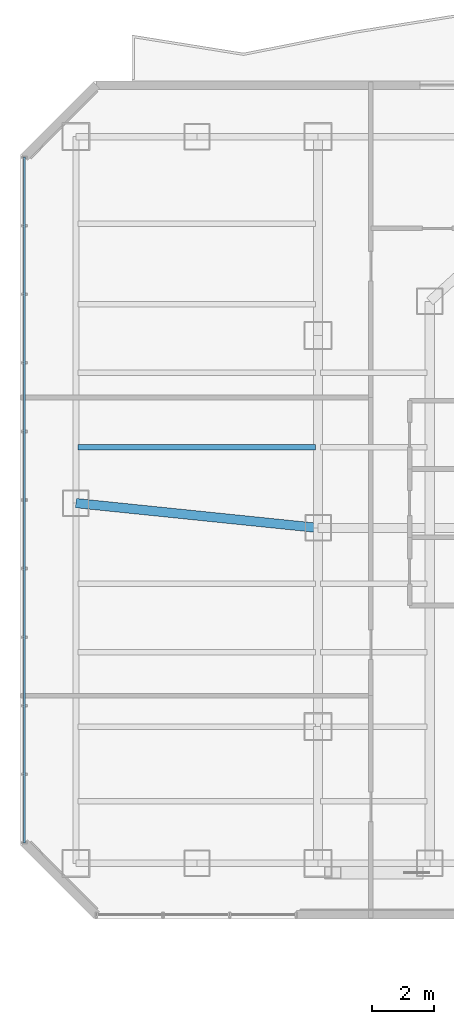
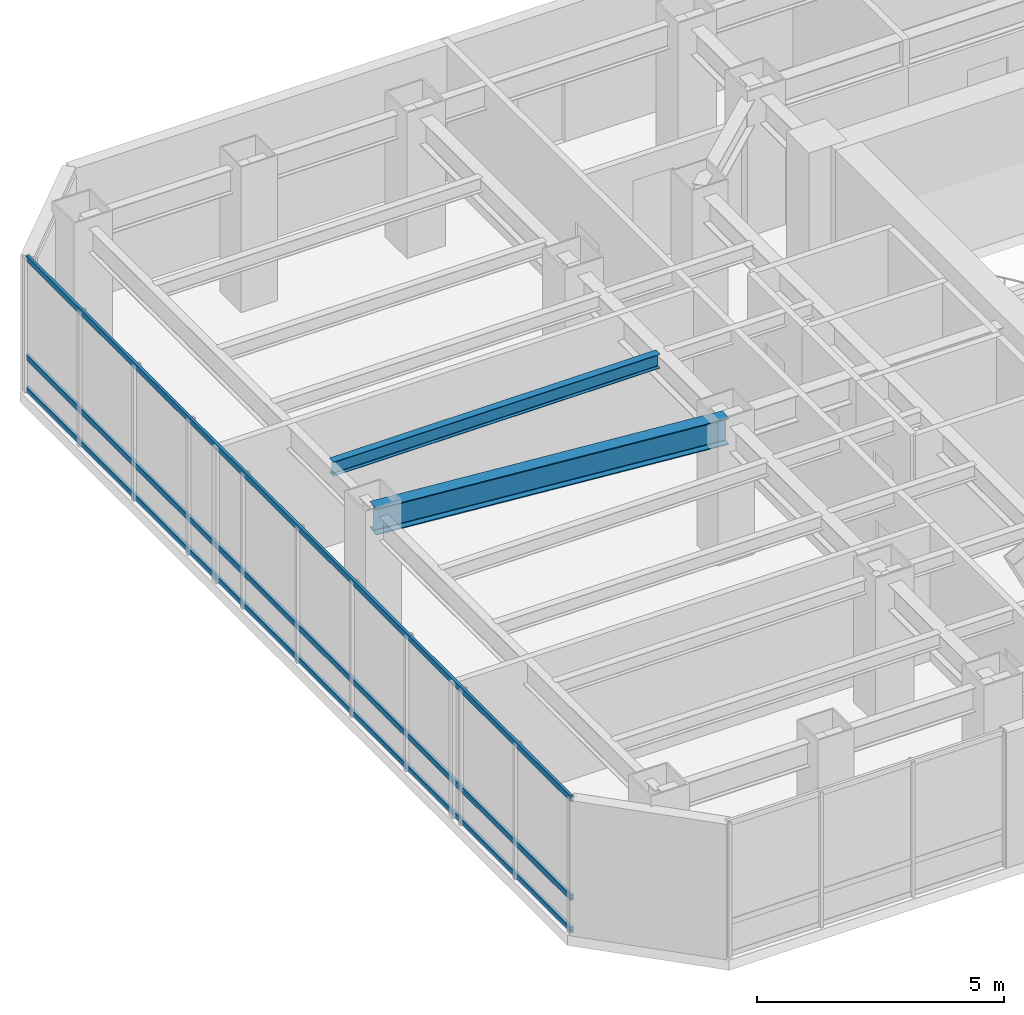
# One storey, part 14 of 30: 3 members, 2 beams, 1 element without a shape of its own.
"""IFC4 building model written with IfcOpenShell, lengths in metres."""

from ifc_helpers import new_model, si_unit, direction, frame, origin, origin_2d, place, context, subcontext, project, spatial, hollow_rectangle, i_section, extrude, material, layer, layer_set, material_profile, profile_set, type_object, element, aggregate, save


model = new_model("IFC4")

# Units and contexts
model_context = context("Model", 3, precision=1e-05, world=origin(), true_north=direction((0.0, 1.0)))
body_context = subcontext(model_context, "Body", "Model", "MODEL_VIEW")
ifc_project = project(units=[si_unit("LENGTHUNIT", "METRE"), si_unit("AREAUNIT", "SQUARE_METRE"), si_unit("VOLUMEUNIT", "CUBIC_METRE"), si_unit("PLANEANGLEUNIT", "RADIAN"), si_unit("MASSUNIT", "GRAM", prefix="KILO")], contexts=[model_context])

# Site, building, storey
site_placement = place(None, origin())
site = spatial("IfcSite", under=ifc_project, at=site_placement, CompositionType="ELEMENT")
building_placement = place(site_placement, origin())
building = spatial("IfcBuilding", under=site, at=building_placement, Name="Hatsunagi Terrace Concourse", CompositionType="ELEMENT")
storey_placement = place(building_placement, frame((0.0, 0.0, 101.25)))
storey = spatial("IfcBuildingStorey", under=building, at=storey_placement, Name="L26", CompositionType="ELEMENT", Elevation=101.25)

# Curtain wall, members
ifc_material_1 = material(Name="Anodised Aluminium Alloy 6063-T5", Category="aluminium")
ifc_layer = layer(ifc_material_1, 0.199951171875)
ifc_layer_set = layer_set([ifc_layer], Name="OfficeZone1_CW03")
curtain_wall_type = type_object("IfcCurtainWallType", Name="OfficeZone1_CW03", PredefinedType="NOTDEFINED", material=ifc_layer_set)
curtain_wall_placement = place(storey_placement, origin())
curtain_wall = element("IfcCurtainWall", 1, at=curtain_wall_placement, inside=storey, type_object=curtain_wall_type, Name="Unitised Curtain Wall CW-03 CW-L26-09", PredefinedType="NOTDEFINED")
ifc_material_2 = material(Name="Anodised Aluminium Alloy 6063-T5", Category="aluminium")
ifc_material_profile_1 = material_profile(ifc_material_2, hollow_rectangle(XDim=0.06494140625, YDim=0.139892578125, WallThickness=0.00390625, at=origin_2d()), Name="ALU-TRN-140x65x4")
ifc_profile_set_1 = profile_set([ifc_material_profile_1], Name="Anodised Aluminium Alloy 6063-T5")
member_type = type_object("IfcMemberType", Name="CurtainWallTransom_140x65", PredefinedType="USERDEFINED", material=ifc_profile_set_1)
member_1_placement = place(storey_placement, frame((9.739990234375, 25.85791015625, 0.050048828125), z_axis=(0.0, 1.0, 0.0), x_axis=(-1.0, 0.0, 0.0)))
member_1 = element("IfcMember", 2, at=member_1_placement, type_object=member_type, Name="Curtain Wall Transom TRN-02", ObjectType="TRANSOM", PredefinedType="USERDEFINED", context=body_context, shape_type="SweptSolid", body=[
    extrude(hollow_rectangle(XDim=0.06494140625, YDim=0.139892578125, WallThickness=0.00390625, at=origin_2d()), origin(), (0.0, 0.0, 1.0), 22.083984375),
])
member_2_placement = place(storey_placement, frame((9.739990234375, 25.85791015625, 0.85009765625), z_axis=(0.0, 1.0, 0.0), x_axis=(-1.0, 0.0, 0.0)))
member_2 = element("IfcMember", 3, at=member_2_placement, type_object=member_type, Name="Curtain Wall Transom TRN-02", ObjectType="TRANSOM", PredefinedType="USERDEFINED", context=body_context, shape_type="SweptSolid", body=[
    extrude(hollow_rectangle(XDim=0.06494140625, YDim=0.139892578125, WallThickness=0.00390625, at=origin_2d()), origin(), (0.0, 0.0, 1.0), 22.083984375),
])
member_3_placement = place(storey_placement, frame((9.739990234375, 25.85791015625, 3.300048828125), z_axis=(0.0, 1.0, 0.0), x_axis=(-1.0, 0.0, 0.0)))
member_3 = element("IfcMember", 4, at=member_3_placement, type_object=member_type, Name="Curtain Wall Transom TRN-02", ObjectType="TRANSOM", PredefinedType="USERDEFINED", context=body_context, shape_type="SweptSolid", body=[
    extrude(hollow_rectangle(XDim=0.06494140625, YDim=0.139892578125, WallThickness=0.00390625, at=origin_2d()), origin(), (0.0, 0.0, 1.0), 22.083984375),
])
aggregate(curtain_wall, [member_1, member_2, member_3])

# Beams
ifc_material_3 = material(Name="Steel SN490B", Category="steel")
ifc_material_profile_2 = material_profile(ifc_material_3, i_section(OverallWidth=0.175048828125, OverallDepth=0.35009765625, WebThickness=0.007080078125, FlangeThickness=0.010986328125, FilletRadius=0.012939453125, at=origin_2d()), Name="H-350x175x7x11")
ifc_profile_set_2 = profile_set([ifc_material_profile_2], Name="Steel SN490B")
beam_type_1 = type_object("IfcBeamType", Name="HotelJoist_H_350x175", PredefinedType="JOIST", material=ifc_profile_set_2)
beam_1_placement = place(storey_placement, frame((11.465087890625, 38.60009765625, 3.175048828125), z_axis=(1.0, 0.0, 0.0), x_axis=(0.0, 1.0, 0.0)))
element("IfcBeam", 5, at=beam_1_placement, inside=storey, type_object=beam_type_1, Name="Beam J-02 J-L26-W-11-386", PredefinedType="JOIST", context=body_context, shape_type="SweptSolid", body=[
    extrude(i_section(OverallWidth=0.175048828125, OverallDepth=0.35009765625, WebThickness=0.007080078125, FlangeThickness=0.010986328125, FilletRadius=0.012939453125, at=origin_2d()), origin(), (0.0, 0.0, 1.0), 7.64990234375),
])
ifc_material_4 = material(Name="Steel SN490B", Category="steel")
ifc_material_profile_3 = material_profile(ifc_material_4, i_section(OverallWidth=0.300048828125, OverallDepth=0.64990234375, WebThickness=0.012939453125, FlangeThickness=0.02197265625, FilletRadius=0.01806640625, at=origin_2d()), Name="H-650x300x13x22")
ifc_profile_set_3 = profile_set([ifc_material_profile_3], Name="Steel SN490B")
beam_type_2 = type_object("IfcBeamType", Name="OfficeLowGirder_H_650x300", PredefinedType="BEAM", material=ifc_profile_set_3)
beam_2_placement = place(storey_placement, frame((11.39990234375, 36.800048828125, 3.02490234375), z_axis=(0.994780871372, -0.102034395927, 0.0), x_axis=(0.102034395927, 0.994780871372, 0.0)))
element("IfcBeam", 6, at=beam_2_placement, inside=storey, type_object=beam_type_2, Name="Beam G-05 BM-L26-EW-2", PredefinedType="BEAM", context=body_context, shape_type="SweptSolid", body=[
    extrude(i_section(OverallWidth=0.300048828125, OverallDepth=0.64990234375, WebThickness=0.012939453125, FlangeThickness=0.02197265625, FilletRadius=0.01806640625, at=origin_2d()), origin(), (0.0, 0.0, 1.0), 7.841064453125),
])

save(model, "model.ifc")
